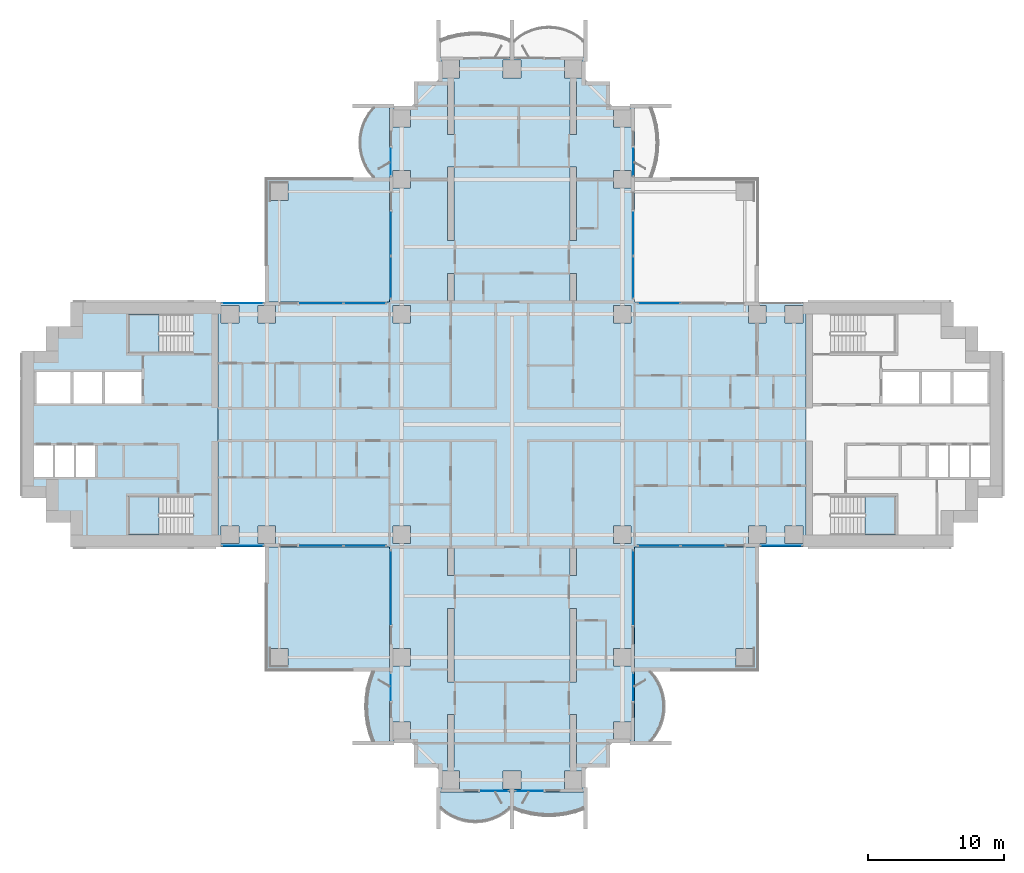
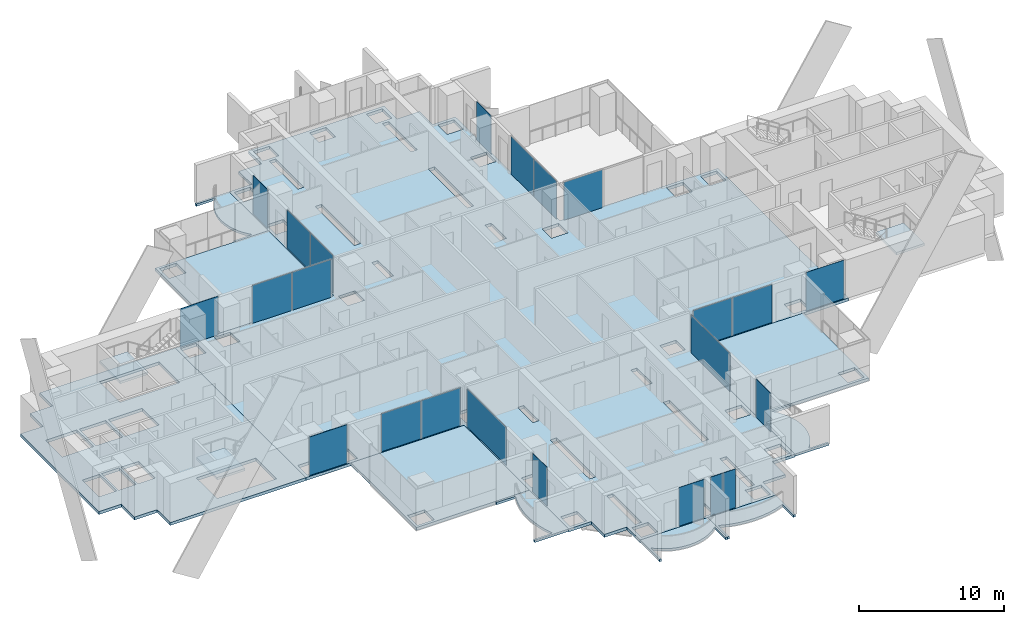
# One storey, part 9 of 21: 22 plates, 13 slabs, 20 elements without a shape of their own.
"""IFC4 building model written with IfcOpenShell, lengths in metres."""

from ifc_helpers import new_model, si_unit, direction, frame, origin, origin_2d, place, context, subcontext, project, spatial, polyline, rectangle, outline, extrude, material, layer, layer_set, type_object, element, aggregate, save


model = new_model("IFC4")

# Units and contexts
model_context = context("Model", 3, precision=1e-05, world=origin(), true_north=direction((0.0, 1.0)))
body_context = subcontext(model_context, "Body", "Model", "MODEL_VIEW")
ifc_project = project(units=[si_unit("LENGTHUNIT", "METRE"), si_unit("AREAUNIT", "SQUARE_METRE"), si_unit("VOLUMEUNIT", "CUBIC_METRE"), si_unit("PLANEANGLEUNIT", "RADIAN"), si_unit("MASSUNIT", "GRAM", prefix="KILO")], contexts=[model_context])

# Site, building, storey
site_placement = place(None, origin())
site = spatial("IfcSite", under=ifc_project, at=site_placement, CompositionType="ELEMENT")
building_placement = place(site_placement, origin())
building = spatial("IfcBuilding", under=site, at=building_placement, Name="Perihelion Cross Residences", CompositionType="ELEMENT")
storey_placement = place(building_placement, frame((0.0, 0.0, 75.0)))
storey = spatial("IfcBuildingStorey", under=building, at=storey_placement, Name="L16", CompositionType="ELEMENT", Elevation=75.0)

# Slabs
ifc_material_1 = material(Name="Concrete C40/50", Category="concrete")
ifc_layer_1 = layer(ifc_material_1, 0.199951171875)
ifc_layer_set_1 = layer_set([ifc_layer_1], Name="Balcony slab 200")
slab_type_1 = type_object("IfcSlabType", Name="Balcony slab 200", PredefinedType="FLOOR", material=ifc_layer_set_1)
slab_1_placement = place(storey_placement, frame((0.0, 0.0, -0.199951171875)))
element("IfcSlab", 1, at=slab_1_placement, inside=storey, type_object=slab_type_1, Name="Slab BK1 L16 north side west bay 1 balcony", PredefinedType="FLOOR", context=body_context, shape_type="SweptSolid", body=[
    extrude(outline(polyline([(-9.0, 23.39990234375), (-9.0, 18.0), (-11.699951171875, 18.0), (-11.699951171875, 18.14990234375), (-10.199951171875, 18.14990234375), (-10.5400390625, 18.574951171875), (-10.792724609375, 19.0), (-10.9765625, 19.425048828125), (-11.1025390625, 19.85009765625), (-11.17578125, 20.27490234375), (-11.199951171875, 20.699951171875), (-11.17578125, 21.125), (-11.1025390625, 21.550048828125), (-10.9765625, 21.97509765625), (-10.792724609375, 22.39990234375), (-10.5400390625, 22.824951171875), (-10.199951171875, 23.25), (-11.699951171875, 23.25), (-11.699951171875, 23.39990234375), (-9.0, 23.39990234375)])), origin(), (0.0, 0.0, 1.0), 0.199951171875),
])
slab_2_placement = place(storey_placement, frame((0.0, 0.0, -0.199951171875)))
element("IfcSlab", 2, at=slab_2_placement, inside=storey, type_object=slab_type_1, Name="Slab BK1 L16 south side west bay 2 balcony", PredefinedType="FLOOR", context=body_context, shape_type="SweptSolid", body=[
    extrude(outline(polyline([(-9.0, -18.0), (-9.0, -23.39990234375), (-11.699951171875, -23.39990234375), (-11.699951171875, -23.25), (-10.199951171875, -23.25), (-10.423583984375, -22.612548828125), (-10.57861328125, -21.97509765625), (-10.669921875, -21.33740234375), (-10.699951171875, -20.699951171875), (-10.669921875, -20.0625), (-10.57861328125, -19.425048828125), (-10.423583984375, -18.78759765625), (-10.199951171875, -18.14990234375), (-11.699951171875, -18.14990234375), (-11.699951171875, -18.0), (-9.0, -18.0)])), origin(), (0.0, 0.0, 1.0), 0.199951171875),
])
slab_3_placement = place(storey_placement, frame((0.0, 0.0, -0.199951171875)))
element("IfcSlab", 3, at=slab_3_placement, inside=storey, type_object=slab_type_1, Name="Slab BK1 L16 south tip south bay 1 balcony", PredefinedType="FLOOR", context=body_context, shape_type="SweptSolid", body=[
    extrude(outline(polyline([(-5.39990234375, -27.0), (0.0, -27.0), (0.0, -29.699951171875), (-0.14990234375, -29.699951171875), (-0.14990234375, -28.199951171875), (-0.574951171875, -28.5400390625), (-1.0, -28.792724609375), (-1.425048828125, -28.9765625), (-1.85009765625, -29.1025390625), (-2.27490234375, -29.17578125), (-2.699951171875, -29.199951171875), (-3.125, -29.17578125), (-3.550048828125, -29.1025390625), (-3.97509765625, -28.9765625), (-4.39990234375, -28.792724609375), (-4.824951171875, -28.5400390625), (-5.25, -28.199951171875), (-5.25, -29.699951171875), (-5.39990234375, -29.699951171875), (-5.39990234375, -27.0)])), origin(), (0.0, 0.0, 1.0), 0.199951171875),
])
slab_4_placement = place(storey_placement, frame((0.0, 0.0, -0.199951171875)))
element("IfcSlab", 4, at=slab_4_placement, inside=storey, type_object=slab_type_1, Name="Slab BK1 L16 south tip south bay 2 balcony", PredefinedType="FLOOR", context=body_context, shape_type="SweptSolid", body=[
    extrude(outline(polyline([(0.0, -27.0), (5.39990234375, -27.0), (5.39990234375, -29.699951171875), (5.25, -29.699951171875), (5.25, -28.199951171875), (4.612548828125, -28.423583984375), (3.97509765625, -28.57861328125), (3.33740234375, -28.669921875), (2.699951171875, -28.699951171875), (2.0625, -28.669921875), (1.425048828125, -28.57861328125), (0.78759765625, -28.423583984375), (0.14990234375, -28.199951171875), (0.14990234375, -29.699951171875), (0.0, -29.699951171875), (0.0, -27.0)])), origin(), (0.0, 0.0, 1.0), 0.199951171875),
])
slab_5_placement = place(storey_placement, frame((0.0, 0.0, -0.199951171875)))
element("IfcSlab", 5, at=slab_5_placement, inside=storey, type_object=slab_type_1, Name="Slab BK1 L16 south side east bay 1 balcony", PredefinedType="FLOOR", context=body_context, shape_type="SweptSolid", body=[
    extrude(outline(polyline([(9.0, -23.39990234375), (9.0, -18.0), (11.699951171875, -18.0), (11.699951171875, -18.14990234375), (10.199951171875, -18.14990234375), (10.5400390625, -18.574951171875), (10.792724609375, -19.0), (10.9765625, -19.425048828125), (11.1025390625, -19.85009765625), (11.17578125, -20.27490234375), (11.199951171875, -20.699951171875), (11.17578125, -21.125), (11.1025390625, -21.550048828125), (10.9765625, -21.97509765625), (10.792724609375, -22.39990234375), (10.5400390625, -22.824951171875), (10.199951171875, -23.25), (11.699951171875, -23.25), (11.699951171875, -23.39990234375), (9.0, -23.39990234375)])), origin(), (0.0, 0.0, 1.0), 0.199951171875),
])

# Curtain wall, plate
ifc_material_2 = material(Name="Bronze anodised aluminium, tinted glazing", Category="aluminium")
curtain_wall_type = type_object("IfcCurtainWallType", Name="CW1", PredefinedType="NOTDEFINED", material=ifc_material_2)
curtain_wall_1_placement = place(storey_placement, origin())
curtain_wall_1 = element("IfcCurtainWall", 6, at=curtain_wall_1_placement, inside=storey, type_object=curtain_wall_type, Name="Curtain wall CW1 L16 east side north bay 2", PredefinedType="NOTDEFINED")
ifc_material_3 = material(Name="Tinted laminated glass", Category="glass")
ifc_layer_2 = layer(ifc_material_3, 0.028076171875)
ifc_layer_set_2 = layer_set([ifc_layer_2], Name="CW1 panel")
plate_type = type_object("IfcPlateType", Name="CW1 panel", PredefinedType="CURTAIN_PANEL", material=ifc_layer_set_2)
plate_1_placement = place(storey_placement, frame((10.802490234375, 8.89990234375, 0.0), z_axis=(0.0, 0.0, 1.0), x_axis=(-1.0, 0.0, 0.0)))
plate_1 = element("IfcPlate", 7, at=plate_1_placement, type_object=plate_type, Name="CW1 panel 2", PredefinedType="CURTAIN_PANEL", context=body_context, shape_type="SweptSolid", body=[
    extrude(rectangle(XDim=3.0849609375, YDim=0.028076171875, at=origin_2d()), origin(), (0.0, 0.0, 1.0), 3.18994140625),
])
aggregate(curtain_wall_1, [plate_1])

# Curtain wall, plates
curtain_wall_2_placement = place(storey_placement, origin())
curtain_wall_2 = element("IfcCurtainWall", 8, at=curtain_wall_2_placement, inside=storey, type_object=curtain_wall_type, Name="Curtain wall CW1 L16 north side east bay 1", PredefinedType="NOTDEFINED")
plate_2_placement = place(storey_placement, frame((8.89990234375, 10.802490234375, 0.0), z_axis=(0.0, 0.0, 1.0), x_axis=(0.0, 1.0, 0.0)))
plate_2 = element("IfcPlate", 9, at=plate_2_placement, type_object=plate_type, Name="CW1 panel 1", PredefinedType="CURTAIN_PANEL", context=body_context, shape_type="SweptSolid", body=[
    extrude(rectangle(XDim=3.0849609375, YDim=0.028076171875, at=origin_2d()), origin(), (0.0, 0.0, 1.0), 3.18994140625),
])
plate_3_placement = place(storey_placement, frame((8.89990234375, 13.9775390625, 0.0), z_axis=(0.0, 0.0, 1.0), x_axis=(0.0, 1.0, 0.0)))
plate_3 = element("IfcPlate", 10, at=plate_3_placement, type_object=plate_type, Name="CW1 panel 2", PredefinedType="CURTAIN_PANEL", context=body_context, shape_type="SweptSolid", body=[
    extrude(rectangle(XDim=3.14501953125, YDim=0.028076171875, at=origin_2d()), origin(), (0.0, 0.0, 1.0), 3.18994140625),
])
aggregate(curtain_wall_2, [plate_2, plate_3])

# Curtain wall, plate
curtain_wall_3_placement = place(storey_placement, origin())
curtain_wall_3 = element("IfcCurtainWall", 11, at=curtain_wall_3_placement, inside=storey, type_object=curtain_wall_type, Name="Curtain wall CW1 L16 north side east bay 2", PredefinedType="NOTDEFINED")
plate_4_placement = place(storey_placement, frame((8.89990234375, 19.2548828125, 0.0), z_axis=(0.0, 0.0, 1.0), x_axis=(0.0, 1.0, 0.0)))
plate_4 = element("IfcPlate", 12, at=plate_4_placement, type_object=plate_type, Name="CW1 panel 1", PredefinedType="CURTAIN_PANEL", context=body_context, shape_type="SweptSolid", body=[
    extrude(rectangle(XDim=1.989990234375, YDim=0.028076171875, at=origin_2d()), origin(), (0.0, 0.0, 1.0), 3.25),
])
aggregate(curtain_wall_3, [plate_4])

curtain_wall_4_placement = place(storey_placement, origin())
curtain_wall_4 = element("IfcCurtainWall", 13, at=curtain_wall_4_placement, inside=storey, type_object=curtain_wall_type, Name="Curtain wall CW1 L16 north side west bay 1", PredefinedType="NOTDEFINED")
plate_5_placement = place(storey_placement, frame((-8.89990234375, 19.2548828125, 0.0), z_axis=(0.0, 0.0, 1.0), x_axis=(0.0, -1.0, 0.0)))
plate_5 = element("IfcPlate", 14, at=plate_5_placement, type_object=plate_type, Name="CW1 panel 1", PredefinedType="CURTAIN_PANEL", context=body_context, shape_type="SweptSolid", body=[
    extrude(rectangle(XDim=1.989990234375, YDim=0.028076171875, at=origin_2d()), origin(), (0.0, 0.0, 1.0), 3.25),
])
aggregate(curtain_wall_4, [plate_5])

# Curtain wall, plates
curtain_wall_5_placement = place(storey_placement, origin())
curtain_wall_5 = element("IfcCurtainWall", 15, at=curtain_wall_5_placement, inside=storey, type_object=curtain_wall_type, Name="Curtain wall CW1 L16 north side west bay 2", PredefinedType="NOTDEFINED")
plate_6_placement = place(storey_placement, frame((-8.89990234375, 13.9775390625, 0.0), z_axis=(0.0, 0.0, 1.0), x_axis=(0.0, -1.0, 0.0)))
plate_6 = element("IfcPlate", 16, at=plate_6_placement, type_object=plate_type, Name="CW1 panel 1", PredefinedType="CURTAIN_PANEL", context=body_context, shape_type="SweptSolid", body=[
    extrude(rectangle(XDim=3.14501953125, YDim=0.028076171875, at=origin_2d()), origin(), (0.0, 0.0, 1.0), 3.18994140625),
])
plate_7_placement = place(storey_placement, frame((-8.89990234375, 10.802490234375, 0.0), z_axis=(0.0, 0.0, 1.0), x_axis=(0.0, -1.0, 0.0)))
plate_7 = element("IfcPlate", 17, at=plate_7_placement, type_object=plate_type, Name="CW1 panel 2", PredefinedType="CURTAIN_PANEL", context=body_context, shape_type="SweptSolid", body=[
    extrude(rectangle(XDim=3.0849609375, YDim=0.028076171875, at=origin_2d()), origin(), (0.0, 0.0, 1.0), 3.18994140625),
])
aggregate(curtain_wall_5, [plate_6, plate_7])

curtain_wall_6_placement = place(storey_placement, origin())
curtain_wall_6 = element("IfcCurtainWall", 18, at=curtain_wall_6_placement, inside=storey, type_object=curtain_wall_type, Name="Curtain wall CW1 L16 west side north bay 1", PredefinedType="NOTDEFINED")
plate_8_placement = place(storey_placement, frame((-10.802490234375, 8.89990234375, 0.0), z_axis=(0.0, 0.0, 1.0), x_axis=(-1.0, 0.0, 0.0)))
plate_8 = element("IfcPlate", 19, at=plate_8_placement, type_object=plate_type, Name="CW1 panel 1", PredefinedType="CURTAIN_PANEL", context=body_context, shape_type="SweptSolid", body=[
    extrude(rectangle(XDim=3.0849609375, YDim=0.028076171875, at=origin_2d()), origin(), (0.0, 0.0, 1.0), 3.18994140625),
])
plate_9_placement = place(storey_placement, frame((-13.9775390625, 8.89990234375, 0.0), z_axis=(0.0, 0.0, 1.0), x_axis=(-1.0, 0.0, 0.0)))
plate_9 = element("IfcPlate", 20, at=plate_9_placement, type_object=plate_type, Name="CW1 panel 2", PredefinedType="CURTAIN_PANEL", context=body_context, shape_type="SweptSolid", body=[
    extrude(rectangle(XDim=3.14501953125, YDim=0.028076171875, at=origin_2d()), origin(), (0.0, 0.0, 1.0), 3.18994140625),
])
aggregate(curtain_wall_6, [plate_8, plate_9])

# Curtain wall, plate
curtain_wall_7_placement = place(storey_placement, origin())
curtain_wall_7 = element("IfcCurtainWall", 21, at=curtain_wall_7_placement, inside=storey, type_object=curtain_wall_type, Name="Curtain wall CW1 L16 west side north bay 2", PredefinedType="NOTDEFINED")
plate_10_placement = place(storey_placement, frame((-19.77490234375, 8.89990234375, 0.0), z_axis=(0.0, 0.0, 1.0), x_axis=(-1.0, 0.0, 0.0)))
plate_10 = element("IfcPlate", 22, at=plate_10_placement, type_object=plate_type, Name="CW1 panel 1", PredefinedType="CURTAIN_PANEL", context=body_context, shape_type="SweptSolid", body=[
    extrude(rectangle(XDim=3.030029296875, YDim=0.028076171875, at=origin_2d()), origin(), (0.0, 0.0, 1.0), 3.25),
])
aggregate(curtain_wall_7, [plate_10])

curtain_wall_8_placement = place(storey_placement, origin())
curtain_wall_8 = element("IfcCurtainWall", 23, at=curtain_wall_8_placement, inside=storey, type_object=curtain_wall_type, Name="Curtain wall CW1 L16 west side south bay 1", PredefinedType="NOTDEFINED")
plate_11_placement = place(storey_placement, frame((-19.77490234375, -8.89990234375, 0.0), z_axis=(0.0, 0.0, 1.0), x_axis=(1.0, 0.0, 0.0)))
plate_11 = element("IfcPlate", 24, at=plate_11_placement, type_object=plate_type, Name="CW1 panel 1", PredefinedType="CURTAIN_PANEL", context=body_context, shape_type="SweptSolid", body=[
    extrude(rectangle(XDim=3.030029296875, YDim=0.028076171875, at=origin_2d()), origin(), (0.0, 0.0, 1.0), 3.25),
])
aggregate(curtain_wall_8, [plate_11])

# Curtain wall, plates
curtain_wall_9_placement = place(storey_placement, origin())
curtain_wall_9 = element("IfcCurtainWall", 25, at=curtain_wall_9_placement, inside=storey, type_object=curtain_wall_type, Name="Curtain wall CW1 L16 west side south bay 2", PredefinedType="NOTDEFINED")
plate_12_placement = place(storey_placement, frame((-13.9775390625, -8.89990234375, 0.0), z_axis=(0.0, 0.0, 1.0), x_axis=(1.0, 0.0, 0.0)))
plate_12 = element("IfcPlate", 26, at=plate_12_placement, type_object=plate_type, Name="CW1 panel 1", PredefinedType="CURTAIN_PANEL", context=body_context, shape_type="SweptSolid", body=[
    extrude(rectangle(XDim=3.14501953125, YDim=0.028076171875, at=origin_2d()), origin(), (0.0, 0.0, 1.0), 3.18994140625),
])
plate_13_placement = place(storey_placement, frame((-10.802490234375, -8.89990234375, 0.0), z_axis=(0.0, 0.0, 1.0), x_axis=(1.0, 0.0, 0.0)))
plate_13 = element("IfcPlate", 27, at=plate_13_placement, type_object=plate_type, Name="CW1 panel 2", PredefinedType="CURTAIN_PANEL", context=body_context, shape_type="SweptSolid", body=[
    extrude(rectangle(XDim=3.0849609375, YDim=0.028076171875, at=origin_2d()), origin(), (0.0, 0.0, 1.0), 3.18994140625),
])
aggregate(curtain_wall_9, [plate_12, plate_13])

# Curtain wall, plate
curtain_wall_10_placement = place(storey_placement, origin())
curtain_wall_10 = element("IfcCurtainWall", 28, at=curtain_wall_10_placement, inside=storey, type_object=curtain_wall_type, Name="Curtain wall CW1 L16 south side west bay 1", PredefinedType="NOTDEFINED")
plate_14_placement = place(storey_placement, frame((-8.89990234375, -11.955078125, 0.0), z_axis=(0.0, 0.0, 1.0), x_axis=(0.0, -1.0, 0.0)))
plate_14 = element("IfcPlate", 29, at=plate_14_placement, type_object=plate_type, Name="CW1 panel 1", PredefinedType="CURTAIN_PANEL", context=body_context, shape_type="SweptSolid", body=[
    extrude(rectangle(XDim=5.389892578125, YDim=0.028076171875, at=origin_2d()), origin(), (0.0, 0.0, 1.0), 3.18994140625),
])
aggregate(curtain_wall_10, [plate_14])

curtain_wall_11_placement = place(storey_placement, origin())
curtain_wall_11 = element("IfcCurtainWall", 30, at=curtain_wall_11_placement, inside=storey, type_object=curtain_wall_type, Name="Curtain wall CW1 L16 south side west bay 2", PredefinedType="NOTDEFINED")
plate_15_placement = place(storey_placement, frame((-8.89990234375, -19.2548828125, 0.0), z_axis=(0.0, 0.0, 1.0), x_axis=(0.0, -1.0, 0.0)))
plate_15 = element("IfcPlate", 31, at=plate_15_placement, type_object=plate_type, Name="CW1 panel 1", PredefinedType="CURTAIN_PANEL", context=body_context, shape_type="SweptSolid", body=[
    extrude(rectangle(XDim=1.989990234375, YDim=0.028076171875, at=origin_2d()), origin(), (0.0, 0.0, 1.0), 3.25),
])
aggregate(curtain_wall_11, [plate_15])

curtain_wall_12_placement = place(storey_placement, origin())
curtain_wall_12 = element("IfcCurtainWall", 32, at=curtain_wall_12_placement, inside=storey, type_object=curtain_wall_type, Name="Curtain wall CW1 L16 south tip south bay 1", PredefinedType="NOTDEFINED")
plate_16_placement = place(storey_placement, frame((-1.2548828125, -26.89990234375, 0.0), z_axis=(0.0, 0.0, 1.0), x_axis=(1.0, 0.0, 0.0)))
plate_16 = element("IfcPlate", 33, at=plate_16_placement, type_object=plate_type, Name="CW1 panel 1", PredefinedType="CURTAIN_PANEL", context=body_context, shape_type="SweptSolid", body=[
    extrude(rectangle(XDim=1.989990234375, YDim=0.028076171875, at=origin_2d()), origin(), (0.0, 0.0, 1.0), 3.25),
])
aggregate(curtain_wall_12, [plate_16])

curtain_wall_13_placement = place(storey_placement, origin())
curtain_wall_13 = element("IfcCurtainWall", 34, at=curtain_wall_13_placement, inside=storey, type_object=curtain_wall_type, Name="Curtain wall CW1 L16 south tip south bay 2", PredefinedType="NOTDEFINED")
plate_17_placement = place(storey_placement, frame((1.2548828125, -26.89990234375, 0.0), z_axis=(0.0, 0.0, 1.0), x_axis=(1.0, 0.0, 0.0)))
plate_17 = element("IfcPlate", 35, at=plate_17_placement, type_object=plate_type, Name="CW1 panel 1", PredefinedType="CURTAIN_PANEL", context=body_context, shape_type="SweptSolid", body=[
    extrude(rectangle(XDim=1.989990234375, YDim=0.028076171875, at=origin_2d()), origin(), (0.0, 0.0, 1.0), 3.25),
])
aggregate(curtain_wall_13, [plate_17])

curtain_wall_14_placement = place(storey_placement, origin())
curtain_wall_14 = element("IfcCurtainWall", 36, at=curtain_wall_14_placement, inside=storey, type_object=curtain_wall_type, Name="Curtain wall CW1 L16 south side east bay 1", PredefinedType="NOTDEFINED")
plate_18_placement = place(storey_placement, frame((8.89990234375, -19.2548828125, 0.0), z_axis=(0.0, 0.0, 1.0), x_axis=(0.0, 1.0, 0.0)))
plate_18 = element("IfcPlate", 37, at=plate_18_placement, type_object=plate_type, Name="CW1 panel 1", PredefinedType="CURTAIN_PANEL", context=body_context, shape_type="SweptSolid", body=[
    extrude(rectangle(XDim=1.989990234375, YDim=0.028076171875, at=origin_2d()), origin(), (0.0, 0.0, 1.0), 3.25),
])
aggregate(curtain_wall_14, [plate_18])

curtain_wall_15_placement = place(storey_placement, origin())
curtain_wall_15 = element("IfcCurtainWall", 38, at=curtain_wall_15_placement, inside=storey, type_object=curtain_wall_type, Name="Curtain wall CW1 L16 south side east bay 2", PredefinedType="NOTDEFINED")
plate_19_placement = place(storey_placement, frame((8.89990234375, -11.955078125, 0.0), z_axis=(0.0, 0.0, 1.0), x_axis=(0.0, 1.0, 0.0)))
plate_19 = element("IfcPlate", 39, at=plate_19_placement, type_object=plate_type, Name="CW1 panel 1", PredefinedType="CURTAIN_PANEL", context=body_context, shape_type="SweptSolid", body=[
    extrude(rectangle(XDim=5.389892578125, YDim=0.028076171875, at=origin_2d()), origin(), (0.0, 0.0, 1.0), 3.18994140625),
])
aggregate(curtain_wall_15, [plate_19])

# Curtain wall, plates
curtain_wall_16_placement = place(storey_placement, origin())
curtain_wall_16 = element("IfcCurtainWall", 40, at=curtain_wall_16_placement, inside=storey, type_object=curtain_wall_type, Name="Curtain wall CW1 L16 east side south bay 1", PredefinedType="NOTDEFINED")
plate_20_placement = place(storey_placement, frame((10.802490234375, -8.89990234375, 0.0), z_axis=(0.0, 0.0, 1.0), x_axis=(1.0, 0.0, 0.0)))
plate_20 = element("IfcPlate", 41, at=plate_20_placement, type_object=plate_type, Name="CW1 panel 1", PredefinedType="CURTAIN_PANEL", context=body_context, shape_type="SweptSolid", body=[
    extrude(rectangle(XDim=3.0849609375, YDim=0.028076171875, at=origin_2d()), origin(), (0.0, 0.0, 1.0), 3.18994140625),
])
plate_21_placement = place(storey_placement, frame((13.9775390625, -8.89990234375, 0.0), z_axis=(0.0, 0.0, 1.0), x_axis=(1.0, 0.0, 0.0)))
plate_21 = element("IfcPlate", 42, at=plate_21_placement, type_object=plate_type, Name="CW1 panel 2", PredefinedType="CURTAIN_PANEL", context=body_context, shape_type="SweptSolid", body=[
    extrude(rectangle(XDim=3.14501953125, YDim=0.028076171875, at=origin_2d()), origin(), (0.0, 0.0, 1.0), 3.18994140625),
])
aggregate(curtain_wall_16, [plate_20, plate_21])

# Curtain wall, plate
curtain_wall_17_placement = place(storey_placement, origin())
curtain_wall_17 = element("IfcCurtainWall", 43, at=curtain_wall_17_placement, inside=storey, type_object=curtain_wall_type, Name="Curtain wall CW1 L16 east side south bay 2", PredefinedType="NOTDEFINED")
plate_22_placement = place(storey_placement, frame((19.77490234375, -8.89990234375, 0.0), z_axis=(0.0, 0.0, 1.0), x_axis=(1.0, 0.0, 0.0)))
plate_22 = element("IfcPlate", 44, at=plate_22_placement, type_object=plate_type, Name="CW1 panel 1", PredefinedType="CURTAIN_PANEL", context=body_context, shape_type="SweptSolid", body=[
    extrude(rectangle(XDim=3.030029296875, YDim=0.028076171875, at=origin_2d()), origin(), (0.0, 0.0, 1.0), 3.25),
])
aggregate(curtain_wall_17, [plate_22])

# Slabs
ifc_material_4 = material(Name="Concrete C40/50", Category="concrete")
ifc_layer_3 = layer(ifc_material_4, 0.25)
ifc_layer_set_3 = layer_set([ifc_layer_3], Name="Core floor slab 250")
slab_type_2 = type_object("IfcSlabType", Name="Core floor slab 250", PredefinedType="FLOOR", material=ifc_layer_set_3)
slab_6_placement = place(storey_placement, frame((0.0, 0.0, -0.25)))
element("IfcSlab", 45, at=slab_6_placement, inside=storey, type_object=slab_type_2, Name="West core floor slab", PredefinedType="FLOOR", context=body_context, shape_type="SweptSolid", body=[
    extrude(outline(polyline([(-32.39990234375, 7.199951171875), (-34.199951171875, 7.199951171875), (-34.199951171875, 5.39990234375), (-36.0, 5.39990234375), (-36.0, -5.39990234375), (-34.199951171875, -5.39990234375), (-34.199951171875, -7.199951171875), (-32.39990234375, -7.199951171875), (-32.39990234375, -9.0), (-21.60009765625, -9.0), (-21.60009765625, 9.0), (-32.39990234375, 9.0), (-32.39990234375, 7.199951171875)]), holes=[polyline([(-23.405029296875, -8.10009765625), (-28.14990234375, -8.10009765625), (-28.14990234375, -5.25), (-23.405029296875, -5.25), (-23.405029296875, -8.10009765625)]), polyline([(-30.60009765625, -1.550048828125), (-30.60009765625, -3.85009765625), (-32.0, -3.85009765625), (-32.0, -1.550048828125), (-30.60009765625, -1.550048828125)]), polyline([(-32.14990234375, -1.550048828125), (-32.14990234375, -3.85009765625), (-33.550048828125, -3.85009765625), (-33.550048828125, -1.550048828125), (-32.14990234375, -1.550048828125)]), polyline([(-33.699951171875, -1.550048828125), (-33.699951171875, -3.85009765625), (-35.10009765625, -3.85009765625), (-35.10009765625, -1.550048828125), (-33.699951171875, -1.550048828125)]), polyline([(-27.199951171875, 3.85009765625), (-27.199951171875, 1.550048828125), (-29.89990234375, 1.550048828125), (-29.89990234375, 3.85009765625), (-27.199951171875, 3.85009765625)]), polyline([(-30.10009765625, 3.85009765625), (-30.10009765625, 1.550048828125), (-32.199951171875, 1.550048828125), (-32.199951171875, 3.85009765625), (-30.10009765625, 3.85009765625)]), polyline([(-32.39990234375, 3.85009765625), (-32.39990234375, 1.550048828125), (-34.89990234375, 1.550048828125), (-34.89990234375, 3.85009765625), (-32.39990234375, 3.85009765625)]), polyline([(-23.405029296875, 5.25), (-28.14990234375, 5.25), (-28.14990234375, 8.10009765625), (-23.405029296875, 8.10009765625), (-23.405029296875, 5.25)])]), origin(), (0.0, 0.0, 1.0), 0.25),
])
ifc_material_5 = material(Name="Concrete C40/50", Category="concrete")
ifc_layer_4 = layer(ifc_material_5, 0.25)
ifc_layer_set_4 = layer_set([ifc_layer_4], Name="Corner terrace slab")
slab_type_3 = type_object("IfcSlabType", Name="Corner terrace slab", PredefinedType="FLOOR", material=ifc_layer_set_4)
slab_7_placement = place(storey_placement, frame((0.0, 0.0, -0.25)))
element("IfcSlab", 46, at=slab_7_placement, inside=storey, type_object=slab_type_3, Name="Slab BK2 L16 pocket north-west", PredefinedType="FLOOR", context=body_context, shape_type="SweptSolid", body=[
    extrude(outline(polyline([(-9.0, 9.0), (-9.0, 18.0), (-18.0, 18.0), (-18.0, 9.0), (-9.0, 9.0)]), holes=[polyline([(-17.7900390625, 16.409912109375), (-17.7900390625, 17.7900390625), (-16.449951171875, 17.7900390625), (-16.449951171875, 16.449951171875), (-17.75, 16.449951171875), (-17.75, 16.409912109375), (-17.7900390625, 16.409912109375)])]), origin(), (0.0, 0.0, 1.0), 0.25),
])
slab_8_placement = place(storey_placement, frame((0.0, 0.0, -0.25)))
element("IfcSlab", 47, at=slab_8_placement, inside=storey, type_object=slab_type_3, Name="Slab BK2 L16 pocket south-west", PredefinedType="FLOOR", context=body_context, shape_type="SweptSolid", body=[
    extrude(outline(polyline([(-9.0, -18.0), (-9.0, -9.0), (-18.0, -9.0), (-18.0, -18.0), (-9.0, -18.0)]), holes=[polyline([(-17.7900390625, -16.409912109375), (-17.75, -16.409912109375), (-17.75, -16.449951171875), (-16.449951171875, -16.449951171875), (-16.449951171875, -17.7900390625), (-17.7900390625, -17.7900390625), (-17.7900390625, -16.409912109375)])]), origin(), (0.0, 0.0, 1.0), 0.25),
])
slab_9_placement = place(storey_placement, frame((0.0, 0.0, -0.25)))
element("IfcSlab", 48, at=slab_9_placement, inside=storey, type_object=slab_type_3, Name="Slab BK2 L16 pocket south-east", PredefinedType="FLOOR", context=body_context, shape_type="SweptSolid", body=[
    extrude(outline(polyline([(18.0, -18.0), (18.0, -9.0), (9.0, -9.0), (9.0, -18.0), (18.0, -18.0)]), holes=[polyline([(16.449951171875, -17.7900390625), (16.449951171875, -16.449951171875), (17.75, -16.449951171875), (17.75, -16.409912109375), (17.7900390625, -16.409912109375), (17.7900390625, -17.7900390625), (16.449951171875, -17.7900390625)])]), origin(), (0.0, 0.0, 1.0), 0.25),
])

# Stair, slab
ifc_material_6 = material(Name="Concrete C40/50", Category="concrete")
stair_type = type_object("IfcStairType", Name="Exit stair, half-turn", PredefinedType="HALF_TURN_STAIR", material=ifc_material_6)
stair_1_placement = place(storey_placement, origin())
stair_1 = element("IfcStair", 49, at=stair_1_placement, inside=storey, type_object=stair_type, Name="L16 East core exit stair 2", PredefinedType="HALF_TURN_STAIR")
ifc_material_7 = material(Name="Concrete C40/50", Category="concrete")
ifc_layer_5 = layer(ifc_material_7, 0.199951171875)
ifc_layer_set_5 = layer_set([ifc_layer_5], Name="Exit stair landing 200")
slab_type_4 = type_object("IfcSlabType", Name="Exit stair landing 200", PredefinedType="LANDING", material=ifc_layer_set_5)
slab_10_placement = place(storey_placement, frame((0.0, 0.0, 1.550048828125)))
slab_10 = element("IfcSlab", 50, at=slab_10_placement, type_object=slab_type_4, Name="ST-E2 landing 1", PredefinedType="LANDING", context=body_context, shape_type="SweptSolid", body=[
    extrude(outline(polyline([(25.919921875, -8.10009765625), (28.14990234375, -8.10009765625), (28.14990234375, -5.25), (25.919921875, -5.25), (25.919921875, -8.10009765625)])), origin(), (0.0, 0.0, 1.0), 0.199951171875),
])
aggregate(stair_1, [slab_10])

stair_2_placement = place(storey_placement, origin())
stair_2 = element("IfcStair", 51, at=stair_2_placement, inside=storey, type_object=stair_type, Name="L16 West core exit stair 1", PredefinedType="HALF_TURN_STAIR")
slab_11_placement = place(storey_placement, frame((0.0, 0.0, 1.550048828125)))
slab_11 = element("IfcSlab", 52, at=slab_11_placement, type_object=slab_type_4, Name="ST-W1 landing 1", PredefinedType="LANDING", context=body_context, shape_type="SweptSolid", body=[
    extrude(outline(polyline([(-25.919921875, 8.10009765625), (-28.14990234375, 8.10009765625), (-28.14990234375, 5.25), (-25.919921875, 5.25), (-25.919921875, 8.10009765625)])), origin(), (0.0, 0.0, 1.0), 0.199951171875),
])
aggregate(stair_2, [slab_11])

stair_3_placement = place(storey_placement, origin())
stair_3 = element("IfcStair", 53, at=stair_3_placement, inside=storey, type_object=stair_type, Name="L16 West core exit stair 2", PredefinedType="HALF_TURN_STAIR")
slab_12_placement = place(storey_placement, frame((0.0, 0.0, 1.550048828125)))
slab_12 = element("IfcSlab", 54, at=slab_12_placement, type_object=slab_type_4, Name="ST-W2 landing 1", PredefinedType="LANDING", context=body_context, shape_type="SweptSolid", body=[
    extrude(outline(polyline([(-25.919921875, -5.25), (-28.14990234375, -5.25), (-28.14990234375, -8.10009765625), (-25.919921875, -8.10009765625), (-25.919921875, -5.25)])), origin(), (0.0, 0.0, 1.0), 0.199951171875),
])
aggregate(stair_3, [slab_12])

# Slab
ifc_material_8 = material(Name="Concrete C50/60", Category="concrete")
ifc_layer_6 = layer(ifc_material_8, 0.25)
ifc_layer_set_6 = layer_set([ifc_layer_6], Name="Residential floor post-tensioned slab concrete C50/60")
slab_type_5 = type_object("IfcSlabType", Name="Residential floor post-tensioned slab concrete C50/60", PredefinedType="FLOOR", material=ifc_layer_set_6)
slab_13_placement = place(storey_placement, frame((0.0, 0.0, -0.25)))
element("IfcSlab", 55, at=slab_13_placement, inside=storey, type_object=slab_type_5, Name="Slab SL8 L16 1 no. 1", PredefinedType="FLOOR", context=body_context, shape_type="SweptSolid", body=[
    extrude(outline(polyline([(-9.0, 9.0), (-9.0, 23.39990234375), (-7.199951171875, 23.39990234375), (-7.199951171875, 25.199951171875), (-5.39990234375, 25.199951171875), (-5.39990234375, 27.0), (5.39990234375, 27.0), (5.39990234375, 25.199951171875), (7.199951171875, 25.199951171875), (7.199951171875, 23.39990234375), (9.0, 23.39990234375), (9.0, 9.0), (21.60009765625, 9.0), (21.60009765625, -9.0), (9.0, -9.0), (9.0, -23.39990234375), (7.199951171875, -23.39990234375), (7.199951171875, -25.199951171875), (5.39990234375, -25.199951171875), (5.39990234375, -27.0), (-5.39990234375, -27.0), (-5.39990234375, -25.199951171875), (-7.199951171875, -25.199951171875), (-7.199951171875, -23.39990234375), (-9.0, -23.39990234375), (-9.0, -9.0), (-21.60009765625, -9.0), (-21.60009765625, 9.0), (-9.0, 9.0)]), holes=[polyline([(0.64990234375, -26.75), (0.64990234375, -25.449951171875), (-0.64990234375, -25.449951171875), (-0.64990234375, -26.75), (0.64990234375, -26.75)]), polyline([(-3.85009765625, -26.75), (-3.85009765625, -25.449951171875), (-5.14990234375, -25.449951171875), (-5.14990234375, -26.75), (-3.85009765625, -26.75)]), polyline([(-4.25, -25.199951171875), (-4.25, -21.300048828125), (-4.75, -21.300048828125), (-4.75, -25.199951171875), (-4.25, -25.199951171875)]), polyline([(-8.75, -23.14990234375), (-7.449951171875, -23.14990234375), (-7.449951171875, -21.85009765625), (-8.75, -21.85009765625), (-8.75, -23.14990234375)]), polyline([(-8.75, -17.75), (-7.449951171875, -17.75), (-7.449951171875, -16.449951171875), (-8.75, -16.449951171875), (-8.75, -17.75)]), polyline([(-4.25, -18.89990234375), (-4.25, -13.5), (-4.75, -13.5), (-4.75, -18.89990234375), (-4.25, -18.89990234375)]), polyline([(-4.25, -11.10009765625), (-4.25, -9.0), (-4.75, -9.0), (-4.75, -11.10009765625), (-4.25, -11.10009765625)]), polyline([(-7.449951171875, -8.75), (-7.449951171875, -7.449951171875), (-8.75, -7.449951171875), (-8.75, -8.75), (-7.449951171875, -8.75)]), polyline([(-18.64990234375, -8.75), (-17.35009765625, -8.75), (-17.35009765625, -7.449951171875), (-18.64990234375, -7.449951171875), (-18.64990234375, -8.75)]), polyline([(-21.35009765625, -8.75), (-20.050048828125, -8.75), (-20.050048828125, -7.449951171875), (-21.35009765625, -7.449951171875), (-21.35009765625, -8.75)]), polyline([(-17.35009765625, 7.449951171875), (-17.35009765625, 8.75), (-18.64990234375, 8.75), (-18.64990234375, 7.449951171875), (-17.35009765625, 7.449951171875)]), polyline([(-7.449951171875, 7.449951171875), (-7.449951171875, 8.75), (-8.75, 8.75), (-8.75, 7.449951171875), (-7.449951171875, 7.449951171875)]), polyline([(-21.35009765625, 7.449951171875), (-20.050048828125, 7.449951171875), (-20.050048828125, 8.75), (-21.35009765625, 8.75), (-21.35009765625, 7.449951171875)]), polyline([(-4.75, 9.0), (-4.25, 9.0), (-4.25, 11.10009765625), (-4.75, 11.10009765625), (-4.75, 9.0)]), polyline([(-4.25, 13.5), (-4.25, 18.89990234375), (-4.75, 18.89990234375), (-4.75, 13.5), (-4.25, 13.5)]), polyline([(-7.449951171875, 17.35009765625), (-7.449951171875, 18.64990234375), (-8.75, 18.64990234375), (-8.75, 17.35009765625), (-7.449951171875, 17.35009765625)]), polyline([(-7.449951171875, 21.85009765625), (-7.449951171875, 23.14990234375), (-8.75, 23.14990234375), (-8.75, 21.85009765625), (-7.449951171875, 21.85009765625)]), polyline([(-4.75, 21.300048828125), (-4.25, 21.300048828125), (-4.25, 25.199951171875), (-4.75, 25.199951171875), (-4.75, 21.300048828125)]), polyline([(-5.14990234375, 25.449951171875), (-3.85009765625, 25.449951171875), (-3.85009765625, 26.75), (-5.14990234375, 26.75), (-5.14990234375, 25.449951171875)]), polyline([(5.14990234375, -26.75), (5.14990234375, -25.449951171875), (3.85009765625, -25.449951171875), (3.85009765625, -26.75), (5.14990234375, -26.75)]), polyline([(4.75, -25.199951171875), (4.75, -21.300048828125), (4.25, -21.300048828125), (4.25, -25.199951171875), (4.75, -25.199951171875)]), polyline([(8.75, -23.14990234375), (8.75, -21.85009765625), (7.449951171875, -21.85009765625), (7.449951171875, -23.14990234375), (8.75, -23.14990234375)]), polyline([(7.449951171875, -17.75), (8.75, -17.75), (8.75, -16.449951171875), (7.449951171875, -16.449951171875), (7.449951171875, -17.75)]), polyline([(4.25, -18.89990234375), (4.75, -18.89990234375), (4.75, -13.5), (4.25, -13.5), (4.25, -18.89990234375)]), polyline([(4.75, -11.10009765625), (4.75, -9.0), (4.25, -9.0), (4.25, -11.10009765625), (4.75, -11.10009765625)]), polyline([(18.64990234375, -8.75), (18.64990234375, -7.449951171875), (17.35009765625, -7.449951171875), (17.35009765625, -8.75), (18.64990234375, -8.75)]), polyline([(21.35009765625, -8.75), (21.35009765625, -7.449951171875), (20.050048828125, -7.449951171875), (20.050048828125, -8.75), (21.35009765625, -8.75)]), polyline([(7.449951171875, -8.75), (8.75, -8.75), (8.75, -7.449951171875), (7.449951171875, -7.449951171875), (7.449951171875, -8.75)]), polyline([(21.35009765625, 7.449951171875), (21.35009765625, 8.75), (20.050048828125, 8.75), (20.050048828125, 7.449951171875), (21.35009765625, 7.449951171875)]), polyline([(8.75, 7.449951171875), (8.75, 8.75), (7.449951171875, 8.75), (7.449951171875, 7.449951171875), (8.75, 7.449951171875)]), polyline([(18.64990234375, 7.449951171875), (18.64990234375, 8.75), (17.35009765625, 8.75), (17.35009765625, 7.449951171875), (18.64990234375, 7.449951171875)]), polyline([(4.25, 9.0), (4.75, 9.0), (4.75, 11.10009765625), (4.25, 11.10009765625), (4.25, 9.0)]), polyline([(4.25, 13.5), (4.75, 13.5), (4.75, 18.89990234375), (4.25, 18.89990234375), (4.25, 13.5)]), polyline([(8.75, 17.35009765625), (8.75, 18.64990234375), (7.449951171875, 18.64990234375), (7.449951171875, 17.35009765625), (8.75, 17.35009765625)]), polyline([(8.75, 21.85009765625), (8.75, 23.14990234375), (7.449951171875, 23.14990234375), (7.449951171875, 21.85009765625), (8.75, 21.85009765625)]), polyline([(4.75, 21.300048828125), (4.75, 25.199951171875), (4.25, 25.199951171875), (4.25, 21.300048828125), (4.75, 21.300048828125)]), polyline([(-0.64990234375, 25.449951171875), (0.64990234375, 25.449951171875), (0.64990234375, 26.75), (-0.64990234375, 26.75), (-0.64990234375, 25.449951171875)]), polyline([(3.85009765625, 25.449951171875), (5.14990234375, 25.449951171875), (5.14990234375, 26.75), (3.85009765625, 26.75), (3.85009765625, 25.449951171875)])]), origin(), (0.0, 0.0, 1.0), 0.25),
])

save(model, "model.ifc")
